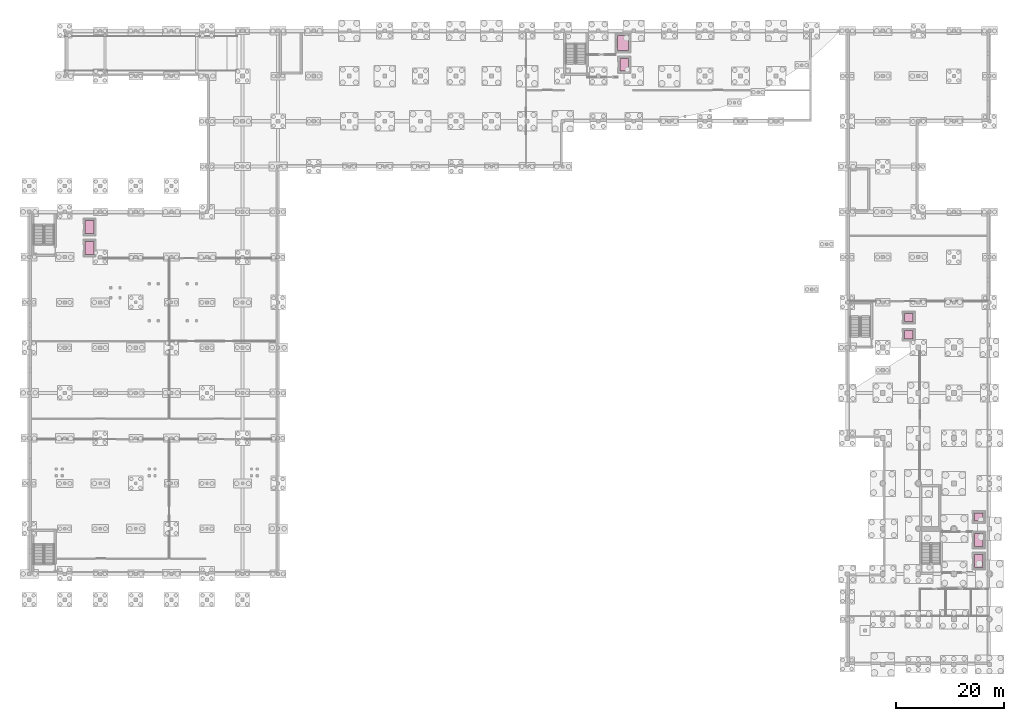
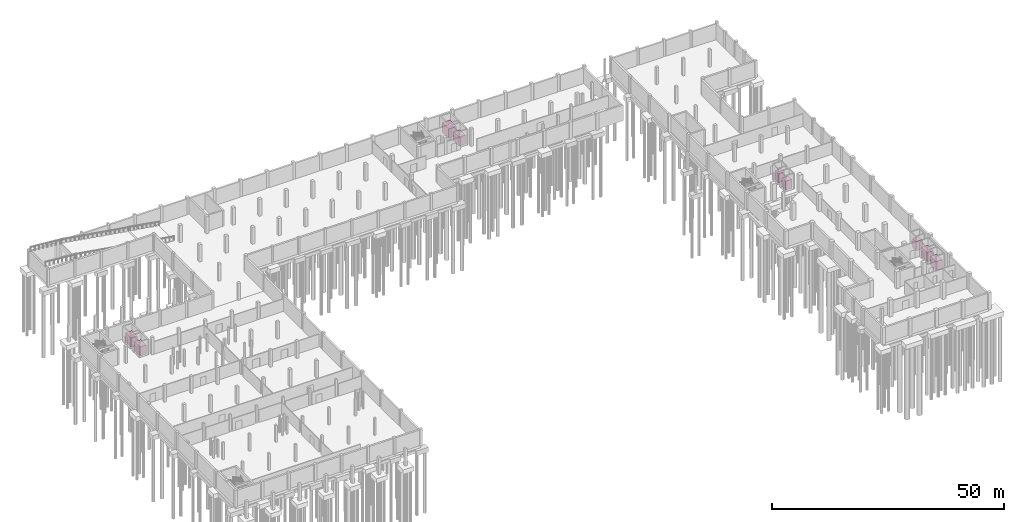
# One storey, part 25 of 25: 9 transport elements.
"""IFC4 building model written with IfcOpenShell, lengths in metres."""

from ifc_helpers import new_model, si_unit, direction, frame, origin, origin_2d, place, context, subcontext, project, spatial, rectangle, extrude, material, type_object, element, save


model = new_model("IFC4")

# Units and contexts
model_context = context("Model", 3, precision=1e-05, world=origin(), true_north=direction((0.0, 1.0)))
body_context = subcontext(model_context, "Body", "Model", "MODEL_VIEW")
ifc_project = project(units=[si_unit("LENGTHUNIT", "METRE"), si_unit("AREAUNIT", "SQUARE_METRE"), si_unit("VOLUMEUNIT", "CUBIC_METRE"), si_unit("PLANEANGLEUNIT", "RADIAN"), si_unit("MASSUNIT", "GRAM", prefix="KILO")], contexts=[model_context])

# Site, building, storey
site_placement = place(None, origin())
site = spatial("IfcSite", under=ifc_project, at=site_placement, CompositionType="ELEMENT")
building_placement = place(site_placement, origin())
building = spatial("IfcBuilding", under=site, at=building_placement, Name="Qaldarim Faculty of Natural and Applied Sciences", CompositionType="ELEMENT")
storey_placement = place(building_placement, frame((0.0, 0.0, -4.5)))
storey = spatial("IfcBuildingStorey", under=building, at=storey_placement, Name="B01", CompositionType="ELEMENT", Elevation=-4.5)

# Transport elements
ifc_material = material(Name="Architectural stainless steel 316", Category="steel")
transport_element_type_1 = type_object("IfcTransportElementType", Name="FirefightingLift-1600x2400-1600kg", PredefinedType="ELEVATOR", material=ifc_material)
for number, where, z_axis, x_axis, name in (
    (1, (176.199951171875, 19.199951171875, 0.050048828125), (0.0, 0.0, 1.0), (1.0, 0.0, 0.0), "Fire-fighting lift LF-A1"),
    (2, (176.199951171875, 23.10009765625, 0.050048828125), (0.0, 0.0, 1.0), (1.0, 0.0, 0.0), "Fire-fighting lift LF-A2"),
    (3, (110.39990234375, 111.300048828125, 0.050048828125), (0.0, 0.0, 1.0), (1.0, 0.0, 0.0), "Passenger lift LF-B1"),
    (4, (11.199951171875, 77.300048828125, 0.050048828125), (0.0, 0.0, 1.0), (1.0, 0.0, 0.0), "Passenger lift LF-D1"),
    (5, (11.199951171875, 81.199951171875, 0.050048828125), (0.0, 0.0, 1.0), (1.0, 0.0, 0.0), "Passenger lift LF-D2"),
):
    element("IfcTransportElement", number, at=place(storey_placement, frame(where, z_axis=z_axis, x_axis=x_axis)), inside=storey, type_object=transport_element_type_1, Name=name, PredefinedType="ELEVATOR", context=body_context, shape_type="SweptSolid", body=[
        extrude(rectangle(XDim=1.60009765625, YDim=2.39990234375, at=origin_2d()), origin(), (0.0, 0.0, 1.0), 2.39990234375),
    ])
transport_element_type_2 = type_object("IfcTransportElementType", Name="GoodsServiceLift-2000x2800-2500kg", PredefinedType="ELEVATOR", material=ifc_material)
transport_element_placement = place(storey_placement, frame((110.199951171875, 115.300048828125, 0.050048828125), z_axis=(0.0, 0.0, 1.0), x_axis=(1.0, 0.0, 0.0)))
element("IfcTransportElement", 6, at=transport_element_placement, inside=storey, type_object=transport_element_type_2, Name="Passenger lift LF-B2", PredefinedType="ELEVATOR", context=body_context, shape_type="SweptSolid", body=[
    extrude(rectangle(XDim=2.0, YDim=2.800048828125, at=origin_2d()), origin(), (0.0, 0.0, 1.0), 2.39990234375),
])
transport_element_type_3 = type_object("IfcTransportElementType", Name="PassengerLift-1600x1500-1150kg", PredefinedType="ELEVATOR", material=ifc_material)
for number, where, z_axis, x_axis, name in (
    (7, (176.199951171875, 27.39990234375, 0.050048828125), (0.0, 0.0, 1.0), (1.0, 0.0, 0.0), "Passenger lift LF-A3"),
    (8, (163.199951171875, 61.199951171875, 0.050048828125), (0.0, 0.0, 1.0), (1.0, 0.0, 0.0), "Passenger lift LF-C1"),
    (9, (163.199951171875, 64.39990234375, 0.050048828125), (0.0, 0.0, 1.0), (1.0, 0.0, 0.0), "Passenger lift LF-C2"),
):
    element("IfcTransportElement", number, at=place(storey_placement, frame(where, z_axis=z_axis, x_axis=x_axis)), inside=storey, type_object=transport_element_type_3, Name=name, PredefinedType="ELEVATOR", context=body_context, shape_type="SweptSolid", body=[
        extrude(rectangle(XDim=1.60009765625, YDim=1.5, at=origin_2d()), origin(), (0.0, 0.0, 1.0), 2.39990234375),
    ])

save(model, "model.ifc")
